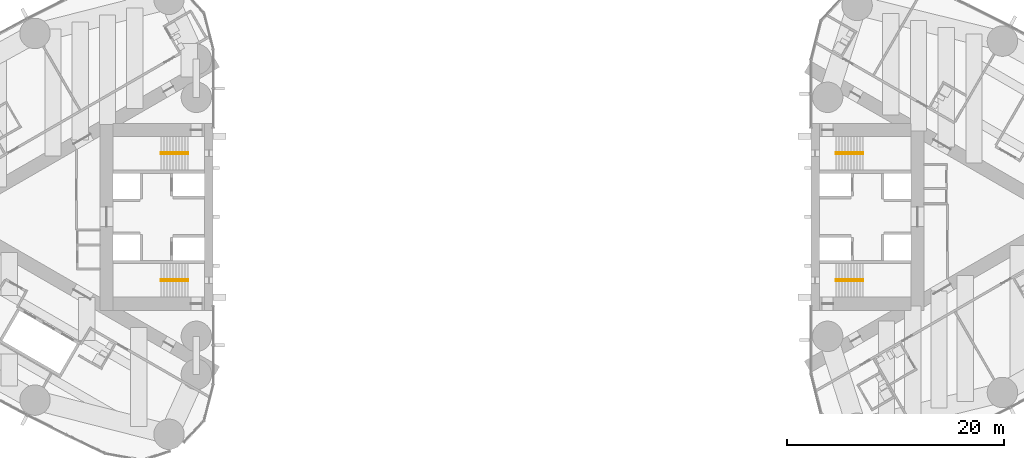
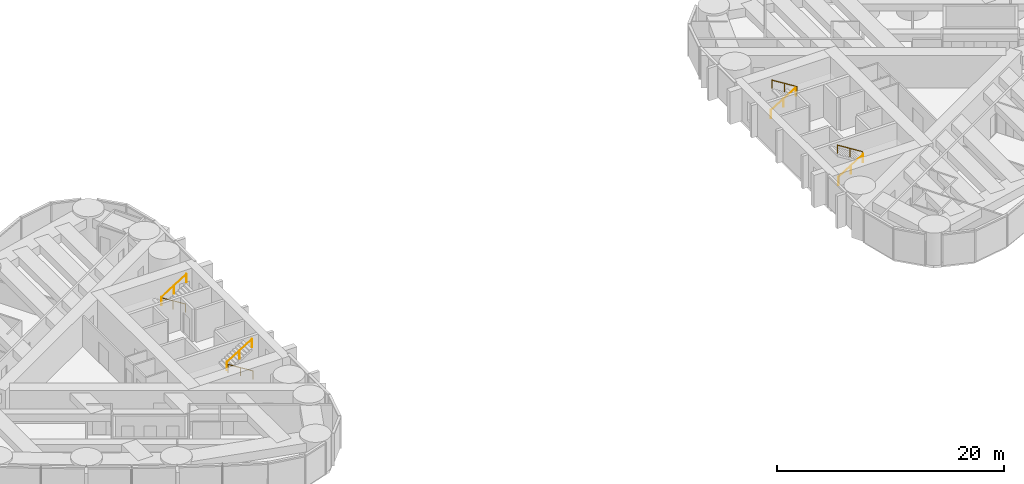
# One storey, part 18 of 19: 8 railings.
"""IFC4 building model written with IfcOpenShell, lengths in metres."""

from ifc_helpers import new_model, si_unit, direction, frame, origin, origin_2d, place, context, subcontext, project, spatial, circle, extrude, material, type_object, element, save


model = new_model("IFC4")

# Units and contexts
model_context = context("Model", 3, precision=1e-05, world=origin(), true_north=direction((0.0, 1.0)))
body_context = subcontext(model_context, "Body", "Model", "MODEL_VIEW")
ifc_project = project(units=[si_unit("LENGTHUNIT", "METRE"), si_unit("AREAUNIT", "SQUARE_METRE"), si_unit("VOLUMEUNIT", "CUBIC_METRE"), si_unit("PLANEANGLEUNIT", "RADIAN"), si_unit("MASSUNIT", "GRAM", prefix="KILO")], contexts=[model_context])

# Site, building, storey
site_placement = place(None, origin())
site = spatial("IfcSite", under=ifc_project, at=site_placement, CompositionType="ELEMENT")
building_placement = place(site_placement, origin())
building = spatial("IfcBuilding", under=site, at=building_placement, Name="Lancet Gate Hotel", CompositionType="ELEMENT")
storey_placement = place(building_placement, frame((0.0, 0.0, 177.300048828125)))
storey = spatial("IfcBuildingStorey", under=building, at=storey_placement, Name="L47", CompositionType="ELEMENT", Elevation=177.300048828125)

# Railings
ifc_material = material(Name="Stainless steel handrail", Category="steel")
railing_type = type_object("IfcRailingType", Name="Stair handrail 900", PredefinedType="HANDRAIL", material=ifc_material)
railing_1_placement = place(storey_placement, frame((-29.800048828125, 5.929931640625, 0.175048828125)))
element("IfcRailing", 1, at=railing_1_placement, inside=storey, type_object=railing_type, Name="ST1 handrail flight 1 L47", PredefinedType="HANDRAIL", context=body_context, shape_type="SweptSolid", body=[
    extrude(circle(Radius=0.02392578125, at=origin_2d()), frame((0.0, 0.0, 0.8759765625), z_axis=(-0.848007534815, 0.0, 0.529984170421), x_axis=(0.0, -1.0, 0.0)), (0.0, 0.0, 1.0), 2.9716796875),
    extrude(circle(Radius=0.02099609375, at=origin_2d()), origin(), (0.0, 0.0, 1.0), 0.851806640625),
    extrude(circle(Radius=0.02099609375, at=origin_2d()), frame((-1.260009765625, 0.0, 0.78759765625)), (0.0, 0.0, 1.0), 0.851806640625),
    extrude(circle(Radius=0.02099609375, at=origin_2d()), frame((-2.52001953125, 0.0, 1.574951171875)), (0.0, 0.0, 1.0), 0.851806640625),
])
railing_2_placement = place(storey_placement, frame((-32.320068359375, 5.77001953125, 1.925048828125)))
element("IfcRailing", 2, at=railing_2_placement, inside=storey, type_object=railing_type, Name="ST1 handrail flight 2 L47", PredefinedType="HANDRAIL", context=body_context, shape_type="SweptSolid", body=[
    extrude(circle(Radius=0.02392578125, at=origin_2d()), frame((0.0, 0.0, 0.8759765625), z_axis=(0.848007534815, 0.0, 0.529984170421), x_axis=(0.0, 1.0, 0.0)), (0.0, 0.0, 1.0), 2.9716796875),
    extrude(circle(Radius=0.02099609375, at=origin_2d()), origin(), (0.0, 0.0, 1.0), 0.851806640625),
    extrude(circle(Radius=0.02099609375, at=origin_2d()), frame((1.260009765625, 0.0, 0.78759765625)), (0.0, 0.0, 1.0), 0.851806640625),
    extrude(circle(Radius=0.02099609375, at=origin_2d()), frame((2.52001953125, 0.0, 1.574951171875)), (0.0, 0.0, 1.0), 0.851806640625),
])
railing_3_placement = place(storey_placement, frame((-29.800048828125, -5.929931640625, 0.175048828125)))
element("IfcRailing", 3, at=railing_3_placement, inside=storey, type_object=railing_type, Name="ST2 handrail flight 1 L47", PredefinedType="HANDRAIL", context=body_context, shape_type="SweptSolid", body=[
    extrude(circle(Radius=0.02392578125, at=origin_2d()), frame((0.0, 0.0, 0.8759765625), z_axis=(-0.848007534815, 0.0, 0.529984170421), x_axis=(0.0, -1.0, 0.0)), (0.0, 0.0, 1.0), 2.9716796875),
    extrude(circle(Radius=0.02099609375, at=origin_2d()), origin(), (0.0, 0.0, 1.0), 0.851806640625),
    extrude(circle(Radius=0.02099609375, at=origin_2d()), frame((-1.260009765625, 0.0, 0.78759765625)), (0.0, 0.0, 1.0), 0.851806640625),
    extrude(circle(Radius=0.02099609375, at=origin_2d()), frame((-2.52001953125, 0.0, 1.574951171875)), (0.0, 0.0, 1.0), 0.851806640625),
])
for number, where, name in (
    (4, (-32.320068359375, -5.77001953125, 1.925048828125), "ST2 handrail flight 2 L47"),
    (5, (29.800048828125, -5.929931640625, 0.175048828125), "ST3 handrail flight 1 L47"),
):
    element("IfcRailing", number, at=place(storey_placement, frame(where)), inside=storey, type_object=railing_type, Name=name, PredefinedType="HANDRAIL", context=body_context, shape_type="SweptSolid", body=[
        extrude(circle(Radius=0.02392578125, at=origin_2d()), frame((0.0, 0.0, 0.8759765625), z_axis=(0.848007534815, 0.0, 0.529984170421), x_axis=(0.0, 1.0, 0.0)), (0.0, 0.0, 1.0), 2.9716796875),
        extrude(circle(Radius=0.02099609375, at=origin_2d()), origin(), (0.0, 0.0, 1.0), 0.851806640625),
        extrude(circle(Radius=0.02099609375, at=origin_2d()), frame((1.260009765625, 0.0, 0.78759765625)), (0.0, 0.0, 1.0), 0.851806640625),
        extrude(circle(Radius=0.02099609375, at=origin_2d()), frame((2.52001953125, 0.0, 1.574951171875)), (0.0, 0.0, 1.0), 0.851806640625),
    ])
railing_4_placement = place(storey_placement, frame((32.320068359375, -5.77001953125, 1.925048828125)))
element("IfcRailing", 6, at=railing_4_placement, inside=storey, type_object=railing_type, Name="ST3 handrail flight 2 L47", PredefinedType="HANDRAIL", context=body_context, shape_type="SweptSolid", body=[
    extrude(circle(Radius=0.02392578125, at=origin_2d()), frame((0.0, 0.0, 0.8759765625), z_axis=(-0.848007534815, 0.0, 0.529984170421), x_axis=(0.0, -1.0, 0.0)), (0.0, 0.0, 1.0), 2.9716796875),
    extrude(circle(Radius=0.02099609375, at=origin_2d()), origin(), (0.0, 0.0, 1.0), 0.851806640625),
    extrude(circle(Radius=0.02099609375, at=origin_2d()), frame((-1.260009765625, 0.0, 0.78759765625)), (0.0, 0.0, 1.0), 0.851806640625),
    extrude(circle(Radius=0.02099609375, at=origin_2d()), frame((-2.52001953125, 0.0, 1.574951171875)), (0.0, 0.0, 1.0), 0.851806640625),
])
railing_5_placement = place(storey_placement, frame((29.800048828125, 5.929931640625, 0.175048828125)))
element("IfcRailing", 7, at=railing_5_placement, inside=storey, type_object=railing_type, Name="ST4 handrail flight 1 L47", PredefinedType="HANDRAIL", context=body_context, shape_type="SweptSolid", body=[
    extrude(circle(Radius=0.02392578125, at=origin_2d()), frame((0.0, 0.0, 0.8759765625), z_axis=(0.848007534815, 0.0, 0.529984170421), x_axis=(0.0, 1.0, 0.0)), (0.0, 0.0, 1.0), 2.9716796875),
    extrude(circle(Radius=0.02099609375, at=origin_2d()), origin(), (0.0, 0.0, 1.0), 0.851806640625),
    extrude(circle(Radius=0.02099609375, at=origin_2d()), frame((1.260009765625, 0.0, 0.78759765625)), (0.0, 0.0, 1.0), 0.851806640625),
    extrude(circle(Radius=0.02099609375, at=origin_2d()), frame((2.52001953125, 0.0, 1.574951171875)), (0.0, 0.0, 1.0), 0.851806640625),
])
railing_6_placement = place(storey_placement, frame((32.320068359375, 5.77001953125, 1.925048828125)))
element("IfcRailing", 8, at=railing_6_placement, inside=storey, type_object=railing_type, Name="ST4 handrail flight 2 L47", PredefinedType="HANDRAIL", context=body_context, shape_type="SweptSolid", body=[
    extrude(circle(Radius=0.02392578125, at=origin_2d()), frame((0.0, 0.0, 0.8759765625), z_axis=(-0.848007534815, 0.0, 0.529984170421), x_axis=(0.0, -1.0, 0.0)), (0.0, 0.0, 1.0), 2.9716796875),
    extrude(circle(Radius=0.02099609375, at=origin_2d()), origin(), (0.0, 0.0, 1.0), 0.851806640625),
    extrude(circle(Radius=0.02099609375, at=origin_2d()), frame((-1.260009765625, 0.0, 0.78759765625)), (0.0, 0.0, 1.0), 0.851806640625),
    extrude(circle(Radius=0.02099609375, at=origin_2d()), frame((-2.52001953125, 0.0, 1.574951171875)), (0.0, 0.0, 1.0), 0.851806640625),
])

save(model, "model.ifc")
